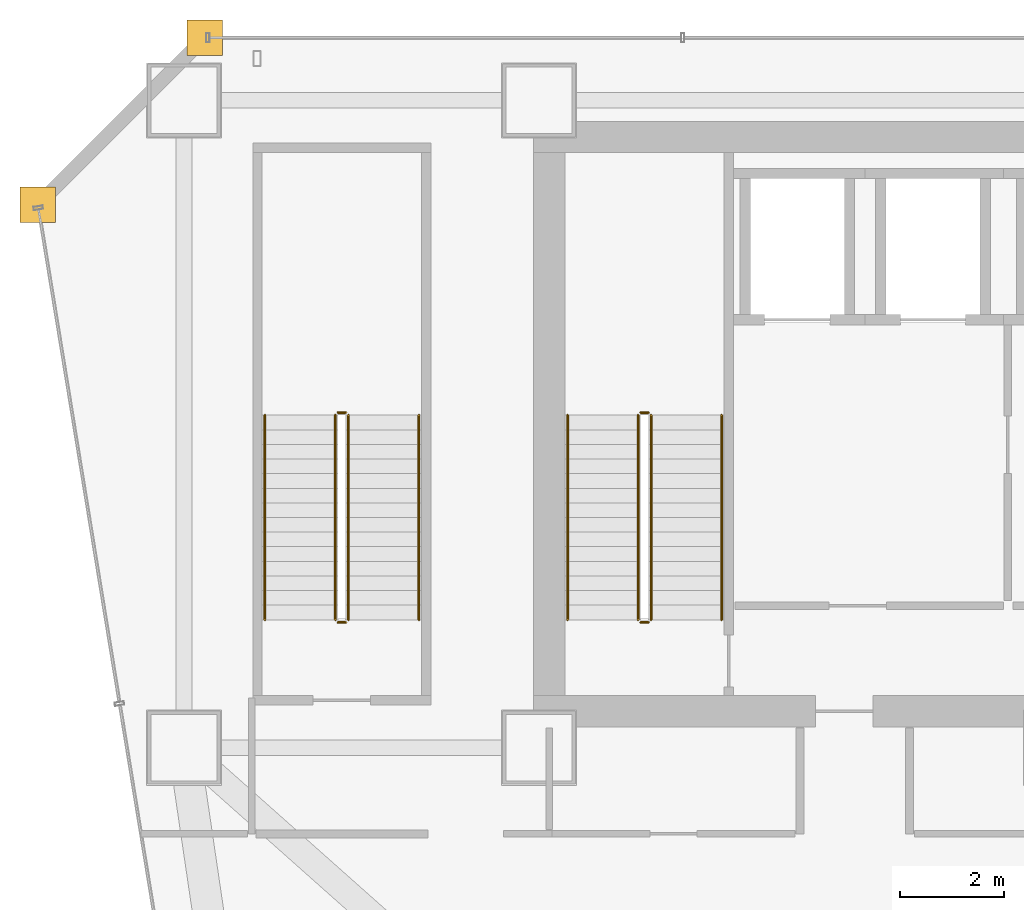
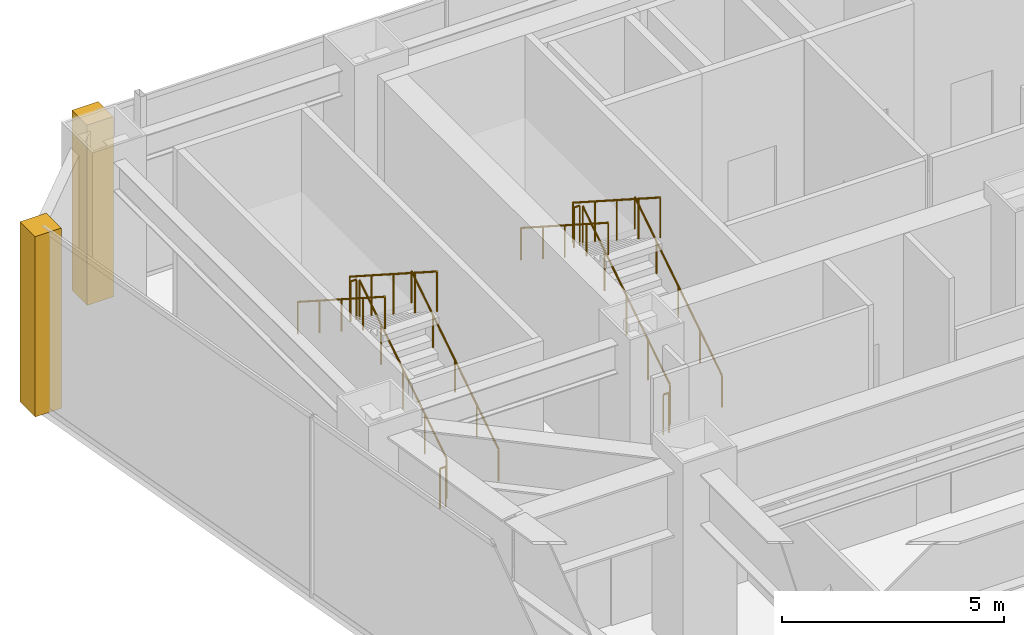
# One storey, part 41 of 42: 12 railings, 2 coverings.
"""IFC4 building model written with IfcOpenShell, lengths in metres."""

from ifc_helpers import new_model, si_unit, direction, frame, origin, origin_2d, place, context, subcontext, project, spatial, polyline, circle, outline, extrude, material, layer, layer_set, type_object, element, save


model = new_model("IFC4")

# Units and contexts
model_context = context("Model", 3, precision=1e-05, world=origin(), true_north=direction((0.0, 1.0)))
body_context = subcontext(model_context, "Body", "Model", "MODEL_VIEW")
ifc_project = project(units=[si_unit("LENGTHUNIT", "METRE"), si_unit("AREAUNIT", "SQUARE_METRE"), si_unit("VOLUMEUNIT", "CUBIC_METRE"), si_unit("PLANEANGLEUNIT", "RADIAN"), si_unit("MASSUNIT", "GRAM", prefix="KILO")], contexts=[model_context])

# Site, building, storey
site_placement = place(None, origin())
site = spatial("IfcSite", under=ifc_project, at=site_placement, CompositionType="ELEMENT")
building_placement = place(site_placement, origin())
building = spatial("IfcBuilding", under=site, at=building_placement, Name="Saevonmaru Cultural Tower", CompositionType="ELEMENT")
storey_placement = place(building_placement, frame((0.0, 0.0, 33.0)))
storey = spatial("IfcBuildingStorey", under=building, at=storey_placement, Name="L06", CompositionType="ELEMENT", Elevation=33.0)

# Coverings
ifc_material_1 = material(Name="Satin Bronze Anodised Aluminium", Category="aluminium")
ifc_layer = layer(ifc_material_1, 0.679931640625, Name="Satin Bronze Anodised Aluminium")
ifc_layer_set = layer_set([ifc_layer], Name="Satin Bronze Anodised Aluminium")
covering_type = type_object("IfcCoveringType", Name="CV-CORNER-CLAD", PredefinedType="CLADDING", material=ifc_layer_set)
covering_1_placement = place(storey_placement, origin())
element("IfcCovering", 1, at=covering_1_placement, inside=storey, type_object=covering_type, Name="L06 Tower Bronze Corner Cladding Pier 11", PredefinedType="CLADDING", context=body_context, shape_type="SweptSolid", body=[
    extrude(outline(polyline([(6.860107421875, 55.659912109375), (7.5400390625, 55.659912109375), (7.5400390625, 56.340087890625), (6.860107421875, 56.340087890625), (6.860107421875, 55.659912109375)])), origin(), (0.0, 0.0, 1.0), 4.949951171875),
])
covering_2_placement = place(storey_placement, origin())
element("IfcCovering", 2, at=covering_2_placement, inside=storey, type_object=covering_type, Name="L06 Tower Bronze Corner Cladding Pier 12", PredefinedType="CLADDING", context=body_context, shape_type="SweptSolid", body=[
    extrude(outline(polyline([(3.659912109375, 52.4599609375), (4.340087890625, 52.4599609375), (4.340087890625, 53.139892578125), (3.659912109375, 53.139892578125), (3.659912109375, 52.4599609375)])), origin(), (0.0, 0.0, 1.0), 4.949951171875),
])

# Railings
ifc_material_2 = material(Name="Architectural Painted Steel", Category="steel")
railing_type_1 = type_object("IfcRailingType", Name="RL-STAIR-GUARD", PredefinedType="GUARDRAIL", material=ifc_material_2)
railing_1_placement = place(storey_placement, frame((15.75, 44.85009765625, 0.179931640625)))
element("IfcRailing", 3, at=railing_1_placement, inside=storey, type_object=railing_type_1, Name="L06 ST-1 stair guard 1", PredefinedType="GUARDRAIL", context=body_context, shape_type="SweptSolid", body=[
    extrude(circle(Radius=0.02392578125, at=origin_2d()), frame((0.0, 0.0, 1.09619140625), z_axis=(0.0, 0.841171666519, 0.540768182723), x_axis=(-1.0, 0.0, 0.0)), (0.0, 0.0, 1.0), 4.66015625),
    extrude(circle(Radius=0.02099609375, at=origin_2d()), origin(), (0.0, 0.0, 1.0), 1.072021484375),
    extrude(circle(Radius=0.02099609375, at=origin_2d()), frame((0.0, 0.97998046875, 0.6298828125)), (0.0, 0.0, 1.0), 1.072021484375),
    extrude(circle(Radius=0.02099609375, at=origin_2d()), frame((0.0, 1.9599609375, 1.260009765625)), (0.0, 0.0, 1.0), 1.072021484375),
    extrude(circle(Radius=0.02099609375, at=origin_2d()), frame((0.0, 2.93994140625, 1.89013671875)), (0.0, 0.0, 1.0), 1.072021484375),
    extrude(circle(Radius=0.02099609375, at=origin_2d()), frame((0.0, 3.919921875, 2.52001953125)), (0.0, 0.0, 1.0), 1.072021484375),
])
railing_2_placement = place(storey_placement, frame((15.699951171875, 48.820068359375, 2.699951171875)))
element("IfcRailing", 4, at=railing_2_placement, inside=storey, type_object=railing_type_1, Name="L06 ST-1 stair guard 2", PredefinedType="GUARDRAIL", context=body_context, shape_type="SweptSolid", body=[
    extrude(circle(Radius=0.02392578125, at=origin_2d()), frame((0.0, 0.0, 1.09619140625), z_axis=(-1.0, 0.0, 0.0), x_axis=(0.0, -1.0, 0.0)), (0.0, 0.0, 1.0), 0.14990234375),
    extrude(circle(Radius=0.02099609375, at=origin_2d()), origin(), (0.0, 0.0, 1.0), 1.072021484375),
    extrude(circle(Radius=0.02099609375, at=origin_2d()), frame((-0.14990234375, 0.0, 0.0)), (0.0, 0.0, 1.0), 1.072021484375),
])
railing_3_placement = place(storey_placement, frame((15.5, 48.77001953125, 2.8798828125)))
element("IfcRailing", 5, at=railing_3_placement, inside=storey, type_object=railing_type_1, Name="L06 ST-1 stair guard 3", PredefinedType="GUARDRAIL", context=body_context, shape_type="SweptSolid", body=[
    extrude(circle(Radius=0.02392578125, at=origin_2d()), frame((0.0, 0.0, 1.09619140625), z_axis=(0.0, -0.841171666519, 0.540768182723), x_axis=(1.0, 0.0, 0.0)), (0.0, 0.0, 1.0), 4.66015625),
    extrude(circle(Radius=0.02099609375, at=origin_2d()), origin(), (0.0, 0.0, 1.0), 1.072021484375),
    extrude(circle(Radius=0.02099609375, at=origin_2d()), frame((0.0, -0.97998046875, 0.6298828125)), (0.0, 0.0, 1.0), 1.072021484375),
    extrude(circle(Radius=0.02099609375, at=origin_2d()), frame((0.0, -1.9599609375, 1.260009765625)), (0.0, 0.0, 1.0), 1.072021484375),
    extrude(circle(Radius=0.02099609375, at=origin_2d()), frame((0.0, -2.93994140625, 1.89013671875)), (0.0, 0.0, 1.0), 1.072021484375),
    extrude(circle(Radius=0.02099609375, at=origin_2d()), frame((0.0, -3.919921875, 2.52001953125)), (0.0, 0.0, 1.0), 1.072021484375),
])
railing_4_placement = place(storey_placement, frame((15.699951171875, 44.800048828125, 0.0)))
element("IfcRailing", 6, at=railing_4_placement, inside=storey, type_object=railing_type_1, Name="L06 ST-1 stair guard 4", PredefinedType="GUARDRAIL", context=body_context, shape_type="SweptSolid", body=[
    extrude(circle(Radius=0.02392578125, at=origin_2d()), frame((0.0, 0.0, 1.09619140625), z_axis=(-1.0, 0.0, 0.0), x_axis=(0.0, -1.0, 0.0)), (0.0, 0.0, 1.0), 0.14990234375),
    extrude(circle(Radius=0.02099609375, at=origin_2d()), origin(), (0.0, 0.0, 1.0), 1.072021484375),
    extrude(circle(Radius=0.02099609375, at=origin_2d()), frame((-0.14990234375, 0.0, 0.0)), (0.0, 0.0, 1.0), 1.072021484375),
])
railing_5_placement = place(storey_placement, frame((9.949951171875, 44.85009765625, 0.179931640625)))
element("IfcRailing", 7, at=railing_5_placement, inside=storey, type_object=railing_type_1, Name="L06 ST-3 stair guard 1", PredefinedType="GUARDRAIL", context=body_context, shape_type="SweptSolid", body=[
    extrude(circle(Radius=0.02392578125, at=origin_2d()), frame((0.0, 0.0, 1.09619140625), z_axis=(0.0, 0.841171666519, 0.540768182723), x_axis=(-1.0, 0.0, 0.0)), (0.0, 0.0, 1.0), 4.66015625),
    extrude(circle(Radius=0.02099609375, at=origin_2d()), origin(), (0.0, 0.0, 1.0), 1.072021484375),
    extrude(circle(Radius=0.02099609375, at=origin_2d()), frame((0.0, 0.97998046875, 0.6298828125)), (0.0, 0.0, 1.0), 1.072021484375),
    extrude(circle(Radius=0.02099609375, at=origin_2d()), frame((0.0, 1.9599609375, 1.260009765625)), (0.0, 0.0, 1.0), 1.072021484375),
    extrude(circle(Radius=0.02099609375, at=origin_2d()), frame((0.0, 2.93994140625, 1.89013671875)), (0.0, 0.0, 1.0), 1.072021484375),
    extrude(circle(Radius=0.02099609375, at=origin_2d()), frame((0.0, 3.919921875, 2.52001953125)), (0.0, 0.0, 1.0), 1.072021484375),
])
railing_6_placement = place(storey_placement, frame((9.89990234375, 48.820068359375, 2.699951171875)))
element("IfcRailing", 8, at=railing_6_placement, inside=storey, type_object=railing_type_1, Name="L06 ST-3 stair guard 2", PredefinedType="GUARDRAIL", context=body_context, shape_type="SweptSolid", body=[
    extrude(circle(Radius=0.02392578125, at=origin_2d()), frame((0.0, 0.0, 1.09619140625), z_axis=(-1.0, 0.0, 0.0), x_axis=(0.0, -1.0, 0.0)), (0.0, 0.0, 1.0), 0.14990234375),
    extrude(circle(Radius=0.02099609375, at=origin_2d()), origin(), (0.0, 0.0, 1.0), 1.072021484375),
    extrude(circle(Radius=0.02099609375, at=origin_2d()), frame((-0.14990234375, 0.0, 0.0)), (0.0, 0.0, 1.0), 1.072021484375),
])
railing_7_placement = place(storey_placement, frame((9.699951171875, 48.77001953125, 2.8798828125)))
element("IfcRailing", 9, at=railing_7_placement, inside=storey, type_object=railing_type_1, Name="L06 ST-3 stair guard 3", PredefinedType="GUARDRAIL", context=body_context, shape_type="SweptSolid", body=[
    extrude(circle(Radius=0.02392578125, at=origin_2d()), frame((0.0, 0.0, 1.09619140625), z_axis=(0.0, -0.841171666519, 0.540768182723), x_axis=(1.0, 0.0, 0.0)), (0.0, 0.0, 1.0), 4.66015625),
    extrude(circle(Radius=0.02099609375, at=origin_2d()), origin(), (0.0, 0.0, 1.0), 1.072021484375),
    extrude(circle(Radius=0.02099609375, at=origin_2d()), frame((0.0, -0.97998046875, 0.6298828125)), (0.0, 0.0, 1.0), 1.072021484375),
    extrude(circle(Radius=0.02099609375, at=origin_2d()), frame((0.0, -1.9599609375, 1.260009765625)), (0.0, 0.0, 1.0), 1.072021484375),
    extrude(circle(Radius=0.02099609375, at=origin_2d()), frame((0.0, -2.93994140625, 1.89013671875)), (0.0, 0.0, 1.0), 1.072021484375),
    extrude(circle(Radius=0.02099609375, at=origin_2d()), frame((0.0, -3.919921875, 2.52001953125)), (0.0, 0.0, 1.0), 1.072021484375),
])
railing_8_placement = place(storey_placement, frame((9.89990234375, 44.800048828125, 0.0)))
element("IfcRailing", 10, at=railing_8_placement, inside=storey, type_object=railing_type_1, Name="L06 ST-3 stair guard 4", PredefinedType="GUARDRAIL", context=body_context, shape_type="SweptSolid", body=[
    extrude(circle(Radius=0.02392578125, at=origin_2d()), frame((0.0, 0.0, 1.09619140625), z_axis=(-1.0, 0.0, 0.0), x_axis=(0.0, -1.0, 0.0)), (0.0, 0.0, 1.0), 0.14990234375),
    extrude(circle(Radius=0.02099609375, at=origin_2d()), origin(), (0.0, 0.0, 1.0), 1.072021484375),
    extrude(circle(Radius=0.02099609375, at=origin_2d()), frame((-0.14990234375, 0.0, 0.0)), (0.0, 0.0, 1.0), 1.072021484375),
])
railing_type_2 = type_object("IfcRailingType", Name="RL-STAIR-HANDRAIL", PredefinedType="HANDRAIL", material=ifc_material_1)
railing_9_placement = place(storey_placement, frame((17.10009765625, 44.85009765625, 0.179931640625)))
element("IfcRailing", 11, at=railing_9_placement, inside=storey, type_object=railing_type_2, Name="L06 ST-1 stair handrail 1", PredefinedType="HANDRAIL", context=body_context, shape_type="SweptSolid", body=[
    extrude(circle(Radius=0.02392578125, at=origin_2d()), frame((0.0, 0.0, 0.8759765625), z_axis=(0.0, 0.841171666519, 0.540768182723), x_axis=(-1.0, 0.0, 0.0)), (0.0, 0.0, 1.0), 4.66015625),
    extrude(circle(Radius=0.02099609375, at=origin_2d()), origin(), (0.0, 0.0, 1.0), 0.851806640625),
    extrude(circle(Radius=0.02099609375, at=origin_2d()), frame((0.0, 0.97998046875, 0.6298828125)), (0.0, 0.0, 1.0), 0.851806640625),
    extrude(circle(Radius=0.02099609375, at=origin_2d()), frame((0.0, 1.9599609375, 1.260009765625)), (0.0, 0.0, 1.0), 0.851806640625),
    extrude(circle(Radius=0.02099609375, at=origin_2d()), frame((0.0, 2.93994140625, 1.89013671875)), (0.0, 0.0, 1.0), 0.851806640625),
    extrude(circle(Radius=0.02099609375, at=origin_2d()), frame((0.0, 3.919921875, 2.52001953125)), (0.0, 0.0, 1.0), 0.851806640625),
])
railing_10_placement = place(storey_placement, frame((14.14990234375, 48.77001953125, 2.8798828125)))
element("IfcRailing", 12, at=railing_10_placement, inside=storey, type_object=railing_type_2, Name="L06 ST-1 stair handrail 2", PredefinedType="HANDRAIL", context=body_context, shape_type="SweptSolid", body=[
    extrude(circle(Radius=0.02392578125, at=origin_2d()), frame((0.0, 0.0, 0.8759765625), z_axis=(0.0, -0.841171666519, 0.540768182723), x_axis=(1.0, 0.0, 0.0)), (0.0, 0.0, 1.0), 4.66015625),
    extrude(circle(Radius=0.02099609375, at=origin_2d()), origin(), (0.0, 0.0, 1.0), 0.851806640625),
    extrude(circle(Radius=0.02099609375, at=origin_2d()), frame((0.0, -0.97998046875, 0.6298828125)), (0.0, 0.0, 1.0), 0.851806640625),
    extrude(circle(Radius=0.02099609375, at=origin_2d()), frame((0.0, -1.9599609375, 1.260009765625)), (0.0, 0.0, 1.0), 0.851806640625),
    extrude(circle(Radius=0.02099609375, at=origin_2d()), frame((0.0, -2.93994140625, 1.89013671875)), (0.0, 0.0, 1.0), 0.851806640625),
    extrude(circle(Radius=0.02099609375, at=origin_2d()), frame((0.0, -3.919921875, 2.52001953125)), (0.0, 0.0, 1.0), 0.851806640625),
])
railing_11_placement = place(storey_placement, frame((11.300048828125, 44.85009765625, 0.179931640625)))
element("IfcRailing", 13, at=railing_11_placement, inside=storey, type_object=railing_type_2, Name="L06 ST-3 stair handrail 1", PredefinedType="HANDRAIL", context=body_context, shape_type="SweptSolid", body=[
    extrude(circle(Radius=0.02392578125, at=origin_2d()), frame((0.0, 0.0, 0.8759765625), z_axis=(0.0, 0.841171666519, 0.540768182723), x_axis=(-1.0, 0.0, 0.0)), (0.0, 0.0, 1.0), 4.66015625),
    extrude(circle(Radius=0.02099609375, at=origin_2d()), origin(), (0.0, 0.0, 1.0), 0.851806640625),
    extrude(circle(Radius=0.02099609375, at=origin_2d()), frame((0.0, 0.97998046875, 0.6298828125)), (0.0, 0.0, 1.0), 0.851806640625),
    extrude(circle(Radius=0.02099609375, at=origin_2d()), frame((0.0, 1.9599609375, 1.260009765625)), (0.0, 0.0, 1.0), 0.851806640625),
    extrude(circle(Radius=0.02099609375, at=origin_2d()), frame((0.0, 2.93994140625, 1.89013671875)), (0.0, 0.0, 1.0), 0.851806640625),
    extrude(circle(Radius=0.02099609375, at=origin_2d()), frame((0.0, 3.919921875, 2.52001953125)), (0.0, 0.0, 1.0), 0.851806640625),
])
railing_12_placement = place(storey_placement, frame((8.35009765625, 48.77001953125, 2.8798828125)))
element("IfcRailing", 14, at=railing_12_placement, inside=storey, type_object=railing_type_2, Name="L06 ST-3 stair handrail 2", PredefinedType="HANDRAIL", context=body_context, shape_type="SweptSolid", body=[
    extrude(circle(Radius=0.02392578125, at=origin_2d()), frame((0.0, 0.0, 0.8759765625), z_axis=(0.0, -0.841171666519, 0.540768182723), x_axis=(1.0, 0.0, 0.0)), (0.0, 0.0, 1.0), 4.66015625),
    extrude(circle(Radius=0.02099609375, at=origin_2d()), origin(), (0.0, 0.0, 1.0), 0.851806640625),
    extrude(circle(Radius=0.02099609375, at=origin_2d()), frame((0.0, -0.97998046875, 0.6298828125)), (0.0, 0.0, 1.0), 0.851806640625),
    extrude(circle(Radius=0.02099609375, at=origin_2d()), frame((0.0, -1.9599609375, 1.260009765625)), (0.0, 0.0, 1.0), 0.851806640625),
    extrude(circle(Radius=0.02099609375, at=origin_2d()), frame((0.0, -2.93994140625, 1.89013671875)), (0.0, 0.0, 1.0), 0.851806640625),
    extrude(circle(Radius=0.02099609375, at=origin_2d()), frame((0.0, -3.919921875, 2.52001953125)), (0.0, 0.0, 1.0), 0.851806640625),
])

save(model, "model.ifc")
